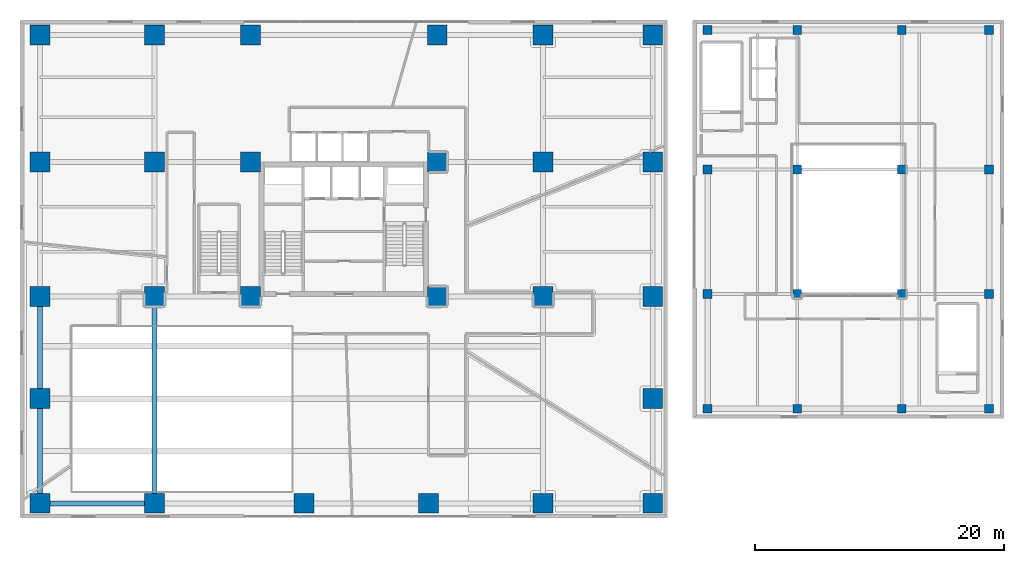
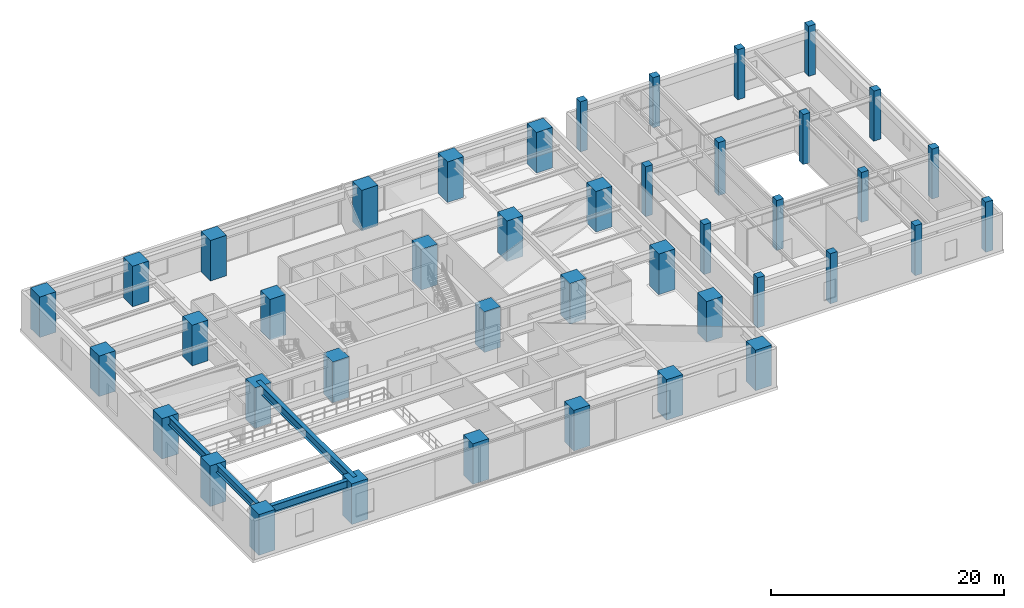
# One storey, part 1 of 25: 42 columns, 4 beams.
"""IFC4 building model written with IfcOpenShell, lengths in metres."""

from ifc_helpers import new_model, si_unit, direction, frame, origin, origin_2d, place, context, subcontext, project, spatial, rectangle, i_section, extrude, material, material_profile, profile_set, type_object, element, save


model = new_model("IFC4")

# Units and contexts
model_context = context("Model", 3, precision=1e-05, world=origin(), true_north=direction((0.0, 1.0)))
body_context = subcontext(model_context, "Body", "Model", "MODEL_VIEW")
ifc_project = project(units=[si_unit("LENGTHUNIT", "METRE"), si_unit("AREAUNIT", "SQUARE_METRE"), si_unit("VOLUMEUNIT", "CUBIC_METRE"), si_unit("PLANEANGLEUNIT", "RADIAN"), si_unit("MASSUNIT", "GRAM", prefix="KILO")], contexts=[model_context])

# Site, building, storey
site_placement = place(None, origin())
site = spatial("IfcSite", under=ifc_project, at=site_placement, CompositionType="ELEMENT")
building_placement = place(site_placement, origin())
building = spatial("IfcBuilding", under=site, at=building_placement, Name="Talar Marvaseh", CompositionType="ELEMENT")
storey_placement = place(building_placement, frame((0.0, 0.0, 14.39990234375)))
storey = spatial("IfcBuildingStorey", under=building, at=storey_placement, Name="L03", CompositionType="ELEMENT", Elevation=14.39990234375)

# Columns
ifc_material_1 = material(Name="Concrete C40/50", Category="concrete")
ifc_material_profile_1 = material_profile(ifc_material_1, rectangle(XDim=0.699951171875, YDim=0.699951171875, at=origin_2d()), Name="RC700x700")
ifc_profile_set_1 = profile_set([ifc_material_profile_1], Name="Concrete C40/50")
column_type_1 = type_object("IfcColumnType", Name="Market Hall Column RC700x700", PredefinedType="COLUMN", material=ifc_profile_set_1)
for number, where, z_axis, x_axis, name in (
    (1, (55.199951171875, 16.800048828125, 0.0), (0.0, 0.0, 1.0), (1.0, 0.0, 0.0), "L03 Market Hall Column RC700x700"),
    (2, (55.199951171875, 26.0, 0.0), (0.0, 0.0, 1.0), (1.0, 0.0, 0.0), "L03 Market Hall Column RC700x700"),
    (3, (55.199951171875, 36.0, 0.0), (0.0, 0.0, 1.0), (1.0, 0.0, 0.0), "L03 Market Hall Column RC700x700"),
    (4, (55.199951171875, 47.199951171875, 0.0), (0.0, 0.0, 1.0), (1.0, 0.0, 0.0), "L03 Market Hall Column RC700x700"),
    (5, (62.39990234375, 16.800048828125, 0.0), (0.0, 0.0, 1.0), (1.0, 0.0, 0.0), "L03 Market Hall Column RC700x700"),
    (6, (62.39990234375, 26.0, 0.0), (0.0, 0.0, 1.0), (1.0, 0.0, 0.0), "L03 Market Hall Column RC700x700"),
):
    element("IfcColumn", number, at=place(storey_placement, frame(where, z_axis=z_axis, x_axis=x_axis)), inside=storey, type_object=column_type_1, Name=name, PredefinedType="COLUMN", context=body_context, shape_type="SweptSolid", body=[
        extrude(rectangle(XDim=0.699951171875, YDim=0.699951171875, at=origin_2d()), origin(), (0.0, 0.0, 1.0), 5.25),
    ])
column_placement = place(storey_placement, frame((62.39990234375, 36.0, -0.2998046875), z_axis=(0.0, 0.0, 1.0), x_axis=(1.0, 0.0, 0.0)))
element("IfcColumn", 7, at=column_placement, inside=storey, type_object=column_type_1, Name="L03 Market Hall Column RC700x700", PredefinedType="COLUMN", context=body_context, shape_type="SweptSolid", body=[
    extrude(rectangle(XDim=0.699951171875, YDim=0.699951171875, at=origin_2d()), origin(), (0.0, 0.0, 1.0), 5.5498046875),
])
for number, where, z_axis, x_axis, name in (
    (8, (62.39990234375, 47.199951171875, 0.0), (0.0, 0.0, 1.0), (1.0, 0.0, 0.0), "L03 Market Hall Column RC700x700"),
    (9, (70.800048828125, 16.800048828125, 0.0), (0.0, 0.0, 1.0), (1.0, 0.0, 0.0), "L03 Market Hall Column RC700x700"),
    (10, (70.800048828125, 26.0, 0.0), (0.0, 0.0, 1.0), (1.0, 0.0, 0.0), "L03 Market Hall Column RC700x700"),
    (11, (70.800048828125, 36.0, 0.0), (0.0, 0.0, 1.0), (1.0, 0.0, 0.0), "L03 Market Hall Column RC700x700"),
    (12, (70.800048828125, 47.199951171875, 0.0), (0.0, 0.0, 1.0), (1.0, 0.0, 0.0), "L03 Market Hall Column RC700x700"),
    (13, (77.800048828125, 16.800048828125, 0.0), (0.0, 0.0, 1.0), (1.0, 0.0, 0.0), "L03 Market Hall Column RC700x700"),
    (14, (77.800048828125, 26.0, 0.0), (0.0, 0.0, 1.0), (1.0, 0.0, 0.0), "L03 Market Hall Column RC700x700"),
    (15, (77.800048828125, 36.0, 0.0), (0.0, 0.0, 1.0), (1.0, 0.0, 0.0), "L03 Market Hall Column RC700x700"),
    (16, (77.800048828125, 47.199951171875, 0.0), (0.0, 0.0, 1.0), (1.0, 0.0, 0.0), "L03 Market Hall Column RC700x700"),
):
    element("IfcColumn", number, at=place(storey_placement, frame(where, z_axis=z_axis, x_axis=x_axis)), inside=storey, type_object=column_type_1, Name=name, PredefinedType="COLUMN", context=body_context, shape_type="SweptSolid", body=[
        extrude(rectangle(XDim=0.699951171875, YDim=0.699951171875, at=origin_2d()), origin(), (0.0, 0.0, 1.0), 5.25),
    ])
ifc_material_2 = material(Name="Concrete C70/85", Category="concrete")
ifc_material_profile_2 = material_profile(ifc_material_2, rectangle(XDim=1.60009765625, YDim=1.60009765625, at=origin_2d()), Name="RC1600x1600")
ifc_profile_set_2 = profile_set([ifc_material_profile_2], Name="Concrete C70/85")
column_type_2 = type_object("IfcColumnType", Name="Tower Mega Column RC1600x1600", PredefinedType="COLUMN", material=ifc_profile_set_2)
for number, where, z_axis, x_axis, name in (
    (17, (1.60009765625, 9.199951171875, 0.0), (0.0, 0.0, 1.0), (1.0, 0.0, 0.0), "L03 Tower Mega Column RC1600x1600"),
    (18, (1.60009765625, 17.60009765625, 0.0), (0.0, 0.0, 1.0), (1.0, 0.0, 0.0), "L03 Tower Mega Column RC1600x1600"),
    (19, (1.60009765625, 25.800048828125, 0.0), (0.0, 0.0, 1.0), (1.0, 0.0, 0.0), "L03 Tower Mega Column RC1600x1600"),
    (20, (1.60009765625, 36.60009765625, 0.0), (0.0, 0.0, 1.0), (1.0, 0.0, 0.0), "L03 Tower Mega Column RC1600x1600"),
    (21, (1.60009765625, 46.800048828125, 0.0), (0.0, 0.0, 1.0), (1.0, 0.0, 0.0), "L03 Tower Mega Column RC1600x1600"),
    (22, (50.800048828125, 9.199951171875, 0.0), (0.0, 0.0, 1.0), (1.0, 0.0, 0.0), "L03 Tower Mega Column RC1600x1600"),
    (23, (50.800048828125, 17.60009765625, 0.0), (0.0, 0.0, 1.0), (1.0, 0.0, 0.0), "L03 Tower Mega Column RC1600x1600"),
    (24, (50.800048828125, 25.800048828125, 0.0), (0.0, 0.0, 1.0), (1.0, 0.0, 0.0), "L03 Tower Mega Column RC1600x1600"),
    (25, (50.800048828125, 36.60009765625, 0.0), (0.0, 0.0, 1.0), (1.0, 0.0, 0.0), "L03 Tower Mega Column RC1600x1600"),
    (26, (50.800048828125, 46.800048828125, 0.0), (0.0, 0.0, 1.0), (1.0, 0.0, 0.0), "L03 Tower Mega Column RC1600x1600"),
    (27, (10.800048828125, 9.199951171875, 0.0), (0.0, 0.0, 1.0), (1.0, 0.0, 0.0), "L03 Tower Mega Column RC1600x1600"),
    (28, (22.800048828125, 9.199951171875, 0.0), (0.0, 0.0, 1.0), (1.0, 0.0, 0.0), "L03 Tower Mega Column RC1600x1600"),
    (29, (32.800048828125, 9.199951171875, 0.0), (0.0, 0.0, 1.0), (1.0, 0.0, 0.0), "L03 Tower Mega Column RC1600x1600"),
    (30, (42.0, 9.199951171875, 0.0), (0.0, 0.0, 1.0), (1.0, 0.0, 0.0), "L03 Tower Mega Column RC1600x1600"),
    (31, (10.800048828125, 46.800048828125, 0.0), (0.0, 0.0, 1.0), (1.0, 0.0, 0.0), "L03 Tower Mega Column RC1600x1600"),
    (32, (18.5, 46.800048828125, 0.0), (0.0, 0.0, 1.0), (1.0, 0.0, 0.0), "L03 Tower Mega Column RC1600x1600"),
    (33, (33.5, 46.800048828125, 0.0), (0.0, 0.0, 1.0), (1.0, 0.0, 0.0), "L03 Tower Mega Column RC1600x1600"),
    (34, (42.0, 46.800048828125, 0.0), (0.0, 0.0, 1.0), (1.0, 0.0, 0.0), "L03 Tower Mega Column RC1600x1600"),
    (35, (10.800048828125, 25.800048828125, 0.0), (0.0, 0.0, 1.0), (1.0, 0.0, 0.0), "L03 Tower Mega Column RC1600x1600"),
    (36, (10.800048828125, 36.60009765625, 0.0), (0.0, 0.0, 1.0), (1.0, 0.0, 0.0), "L03 Tower Mega Column RC1600x1600"),
    (37, (18.5, 25.800048828125, 0.0), (0.0, 0.0, 1.0), (1.0, 0.0, 0.0), "L03 Tower Mega Column RC1600x1600"),
    (38, (18.5, 36.60009765625, 0.0), (0.0, 0.0, 1.0), (1.0, 0.0, 0.0), "L03 Tower Mega Column RC1600x1600"),
    (39, (33.5, 25.800048828125, 0.0), (0.0, 0.0, 1.0), (1.0, 0.0, 0.0), "L03 Tower Mega Column RC1600x1600"),
    (40, (33.5, 36.60009765625, 0.0), (0.0, 0.0, 1.0), (1.0, 0.0, 0.0), "L03 Tower Mega Column RC1600x1600"),
    (41, (42.0, 25.800048828125, 0.0), (0.0, 0.0, 1.0), (1.0, 0.0, 0.0), "L03 Tower Mega Column RC1600x1600"),
    (42, (42.0, 36.60009765625, 0.0), (0.0, 0.0, 1.0), (1.0, 0.0, 0.0), "L03 Tower Mega Column RC1600x1600"),
):
    element("IfcColumn", number, at=place(storey_placement, frame(where, z_axis=z_axis, x_axis=x_axis)), inside=storey, type_object=column_type_2, Name=name, PredefinedType="COLUMN", context=body_context, shape_type="SweptSolid", body=[
        extrude(rectangle(XDim=1.60009765625, YDim=1.60009765625, at=origin_2d()), origin(), (0.0, 0.0, 1.0), 4.25),
    ])

# Beams
ifc_material_3 = material(Name="Steel S460", Category="steel")
ifc_material_profile_3 = material_profile(ifc_material_3, i_section(OverallWidth=0.41796875, OverallDepth=0.912109375, WebThickness=0.019287109375, FlangeThickness=0.031982421875, at=origin_2d()), Name="W920x342")
ifc_profile_set_3 = profile_set([ifc_material_profile_3], Name="Steel S460")
beam_type_1 = type_object("IfcBeamType", Name="Auditorium Long-Span Girder W920x342", PredefinedType="BEAM", material=ifc_profile_set_3)
beam_1_placement = place(storey_placement, frame((10.800048828125, 9.199951171875, 3.794189453125), z_axis=(0.0, 1.0, 0.0), x_axis=(-1.0, 0.0, 0.0)))
element("IfcBeam", 43, at=beam_1_placement, inside=storey, type_object=beam_type_1, Name="L03 Auditorium Long-Span Girder W920x342", PredefinedType="BEAM", context=body_context, shape_type="SweptSolid", body=[
    extrude(i_section(OverallWidth=0.41796875, OverallDepth=0.912109375, WebThickness=0.019287109375, FlangeThickness=0.031982421875, at=origin_2d()), origin(), (0.0, 0.0, 1.0), 16.60009765625),
])
ifc_material_4 = material(Name="Steel S355", Category="steel")
ifc_material_profile_4 = material_profile(ifc_material_4, i_section(OverallWidth=0.39990234375, OverallDepth=0.85498046875, WebThickness=0.018310546875, FlangeThickness=0.029296875, at=origin_2d()), Name="W840x299")
ifc_profile_set_4 = profile_set([ifc_material_profile_4], Name="Steel S355")
beam_type_2 = type_object("IfcBeamType", Name="Concourse Primary Girder W840x299", PredefinedType="BEAM", material=ifc_profile_set_4)
beam_2_placement = place(storey_placement, frame((1.60009765625, 9.199951171875, 3.822509765625), z_axis=(1.0, 0.0, 0.0), x_axis=(0.0, 1.0, 0.0)))
element("IfcBeam", 44, at=beam_2_placement, inside=storey, type_object=beam_type_2, Name="L03 Concourse Primary Girder W840x299", PredefinedType="BEAM", context=body_context, shape_type="SweptSolid", body=[
    extrude(i_section(OverallWidth=0.39990234375, OverallDepth=0.85498046875, WebThickness=0.018310546875, FlangeThickness=0.029296875, at=origin_2d()), origin(), (0.0, 0.0, 1.0), 9.199951171875),
])
beam_3_placement = place(storey_placement, frame((1.60009765625, 9.199951171875, 3.822509765625), z_axis=(0.0, 1.0, 0.0), x_axis=(-1.0, 0.0, 0.0)))
element("IfcBeam", 45, at=beam_3_placement, inside=storey, type_object=beam_type_2, Name="L03 Concourse Primary Girder W840x299", PredefinedType="BEAM", context=body_context, shape_type="SweptSolid", body=[
    extrude(i_section(OverallWidth=0.39990234375, OverallDepth=0.85498046875, WebThickness=0.018310546875, FlangeThickness=0.029296875, at=origin_2d()), origin(), (0.0, 0.0, 1.0), 8.400146484375),
])
beam_4_placement = place(storey_placement, frame((1.60009765625, 17.60009765625, 3.822509765625), z_axis=(0.0, 1.0, 0.0), x_axis=(-1.0, 0.0, 0.0)))
element("IfcBeam", 46, at=beam_4_placement, inside=storey, type_object=beam_type_2, Name="L03 Concourse Primary Girder W840x299", PredefinedType="BEAM", context=body_context, shape_type="SweptSolid", body=[
    extrude(i_section(OverallWidth=0.39990234375, OverallDepth=0.85498046875, WebThickness=0.018310546875, FlangeThickness=0.029296875, at=origin_2d()), origin(), (0.0, 0.0, 1.0), 8.199951171875),
])

save(model, "model.ifc")
